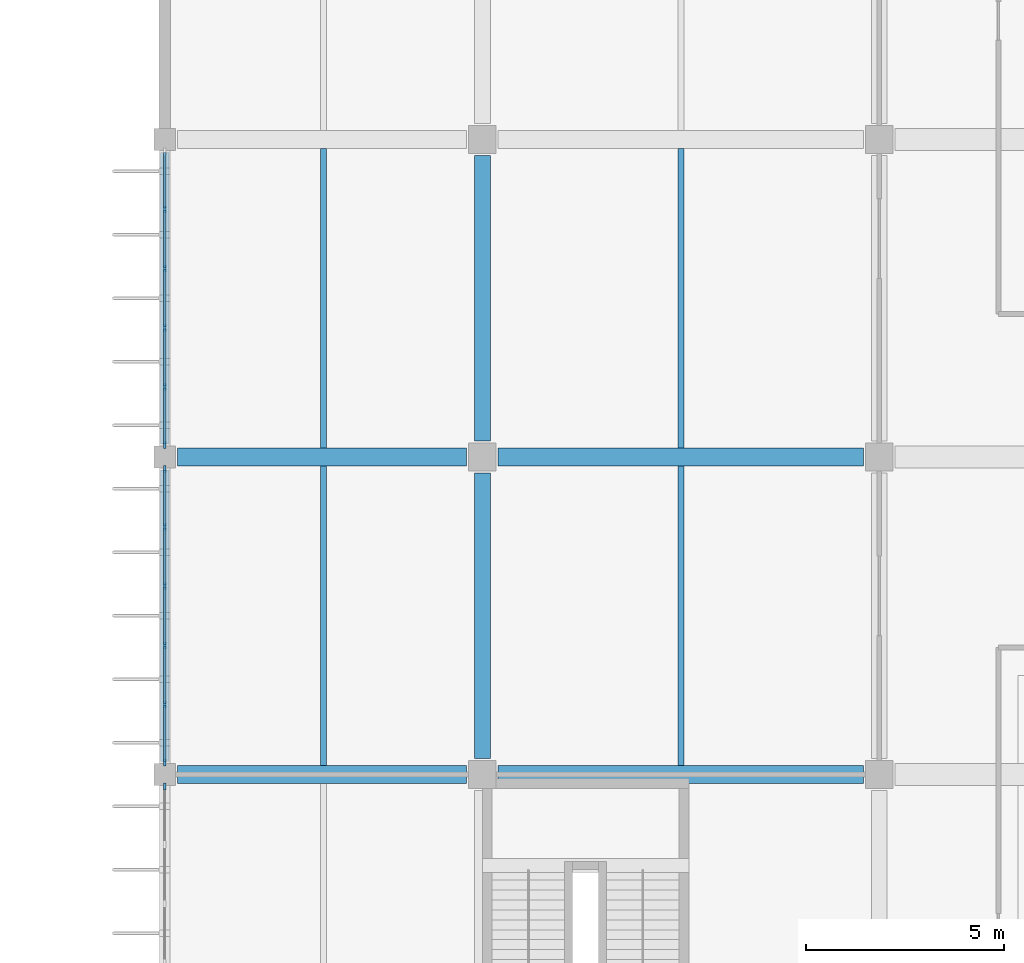
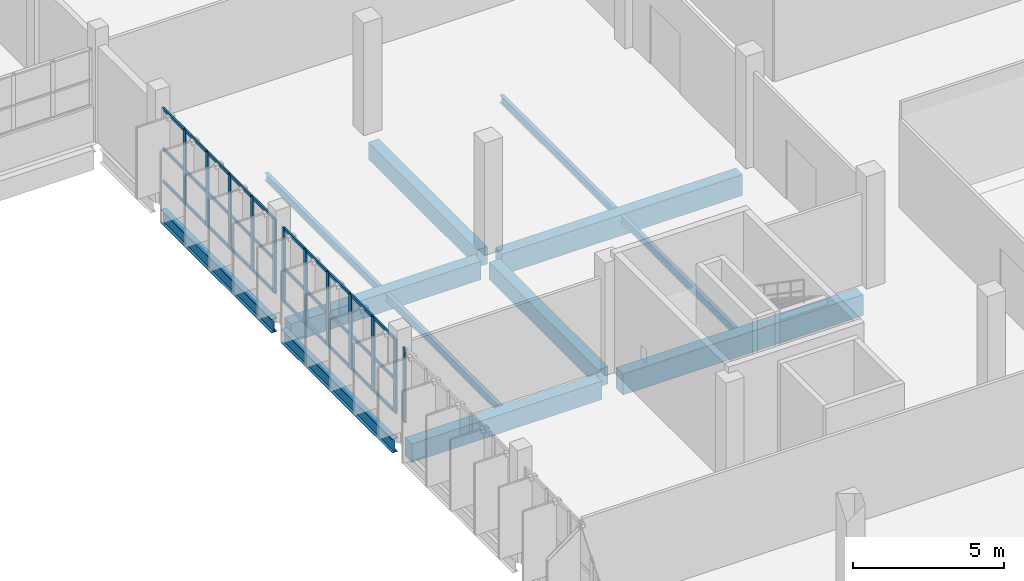
# One storey, part 46 of 93: 42 members, 12 beams, 3 elements without a shape of their own.
"""IFC4 building model written with IfcOpenShell, lengths in metres."""

from ifc_helpers import new_model, si_unit, direction, frame, origin, origin_2d, place, context, subcontext, project, spatial, rectangle, i_section, extrude, material, layer, layer_set, material_profile, profile_set, type_object, element, aggregate, save


model = new_model("IFC4")

# Units and contexts
model_context = context("Model", 3, precision=1e-05, world=origin(), true_north=direction((0.0, 1.0)))
body_context = subcontext(model_context, "Body", "Model", "MODEL_VIEW")
ifc_project = project(units=[si_unit("LENGTHUNIT", "METRE"), si_unit("AREAUNIT", "SQUARE_METRE"), si_unit("VOLUMEUNIT", "CUBIC_METRE"), si_unit("PLANEANGLEUNIT", "RADIAN"), si_unit("MASSUNIT", "GRAM", prefix="KILO")], contexts=[model_context])

# Site, building, storey
site_placement = place(None, origin())
site = spatial("IfcSite", under=ifc_project, at=site_placement, CompositionType="ELEMENT")
building_placement = place(site_placement, origin())
building = spatial("IfcBuilding", under=site, at=building_placement, Name="Drelvana Railside Aquatics Centre", CompositionType="ELEMENT")
storey_placement = place(building_placement, frame((0.0, 0.0, 5.39990234375)))
storey = spatial("IfcBuildingStorey", under=building, at=storey_placement, Name="L01", CompositionType="ELEMENT", Elevation=5.39990234375)

# Curtain wall, member
ifc_material_1 = material(Name="Bronze-anodised aluminium curtain wall", Category="aluminium")
ifc_layer = layer(ifc_material_1, 0.175048828125, Name="Bronze-anodised aluminium curtain wall")
ifc_layer_set = layer_set([ifc_layer], Name="Bronze-anodised aluminium curtain wall")
curtain_wall_type = type_object("IfcCurtainWallType", Name="CW-Z6-WING", PredefinedType="NOTDEFINED", material=ifc_layer_set)
curtain_wall_1_placement = place(storey_placement, origin())
curtain_wall_1 = element("IfcCurtainWall", 1, at=curtain_wall_1_placement, inside=storey, type_object=curtain_wall_type, Name="Curtain wall CW-06-152", PredefinedType="NOTDEFINED")
ifc_material_2 = material(Name="Bronze-anodised aluminium 6063-T6", Category="aluminium")
ifc_material_profile_1 = material_profile(ifc_material_2, rectangle(XDim=0.06494140625, YDim=0.175048828125, at=origin_2d()), Name="ALU-M 65x175")
ifc_profile_set_1 = profile_set([ifc_material_profile_1], Name="Bronze-anodised aluminium 6063-T6")
member_type_1 = type_object("IfcMemberType", Name="CW-Z6-WING-MUL", PredefinedType="MULLION", material=ifc_profile_set_1)
member_1_placement = place(storey_placement, frame((144.0, 63.698486328125, 0.794189453125), z_axis=(0.0, 0.0, 1.0), x_axis=(-1.0, 0.0, 0.0)))
member_1 = element("IfcMember", 2, at=member_1_placement, type_object=member_type_1, Name="CW-06 mullion 6", PredefinedType="MULLION", context=body_context, shape_type="SweptSolid", body=[
    extrude(rectangle(XDim=0.06494140625, YDim=0.175048828125, at=origin_2d()), origin(), (0.0, 0.0, 1.0), 3.005859375),
])
aggregate(curtain_wall_1, [member_1])

# Curtain wall, members
curtain_wall_2_placement = place(storey_placement, origin())
curtain_wall_2 = element("IfcCurtainWall", 3, at=curtain_wall_2_placement, inside=storey, type_object=curtain_wall_type, Name="Curtain wall CW-06-156", PredefinedType="NOTDEFINED")
member_2_placement = place(storey_placement, frame((144.0, 64.301513671875, 0.794189453125), z_axis=(0.0, 0.0, 1.0), x_axis=(-1.0, 0.0, 0.0)))
member_2 = element("IfcMember", 4, at=member_2_placement, type_object=member_type_1, Name="CW-06 mullion 1", PredefinedType="MULLION", context=body_context, shape_type="SweptSolid", body=[
    extrude(rectangle(XDim=0.06494140625, YDim=0.175048828125, at=origin_2d()), origin(), (0.0, 0.0, 1.0), 3.005859375),
])
member_3_placement = place(storey_placement, frame((144.0, 65.761474609375, 0.794189453125), z_axis=(0.0, 0.0, 1.0), x_axis=(-1.0, 0.0, 0.0)))
member_3 = element("IfcMember", 5, at=member_3_placement, type_object=member_type_1, Name="CW-06 mullion 2", PredefinedType="MULLION", context=body_context, shape_type="SweptSolid", body=[
    extrude(rectangle(XDim=0.06494140625, YDim=0.175048828125, at=origin_2d()), origin(), (0.0, 0.0, 1.0), 3.005859375),
])
member_4_placement = place(storey_placement, frame((144.0, 67.25390625, 0.794189453125), z_axis=(0.0, 0.0, 1.0), x_axis=(-1.0, 0.0, 0.0)))
member_4 = element("IfcMember", 6, at=member_4_placement, type_object=member_type_1, Name="CW-06 mullion 3", PredefinedType="MULLION", context=body_context, shape_type="SweptSolid", body=[
    extrude(rectangle(XDim=0.06494140625, YDim=0.175048828125, at=origin_2d()), origin(), (0.0, 0.0, 1.0), 3.005859375),
])
member_5_placement = place(storey_placement, frame((144.0, 68.74609375, 0.794189453125), z_axis=(0.0, 0.0, 1.0), x_axis=(-1.0, 0.0, 0.0)))
member_5 = element("IfcMember", 7, at=member_5_placement, type_object=member_type_1, Name="CW-06 mullion 4", PredefinedType="MULLION", context=body_context, shape_type="SweptSolid", body=[
    extrude(rectangle(XDim=0.06494140625, YDim=0.175048828125, at=origin_2d()), origin(), (0.0, 0.0, 1.0), 3.005859375),
])
member_6_placement = place(storey_placement, frame((144.0, 70.238525390625, 0.794189453125), z_axis=(0.0, 0.0, 1.0), x_axis=(-1.0, 0.0, 0.0)))
member_6 = element("IfcMember", 8, at=member_6_placement, type_object=member_type_1, Name="CW-06 mullion 5", PredefinedType="MULLION", context=body_context, shape_type="SweptSolid", body=[
    extrude(rectangle(XDim=0.06494140625, YDim=0.175048828125, at=origin_2d()), origin(), (0.0, 0.0, 1.0), 3.005859375),
])
member_7_placement = place(storey_placement, frame((144.0, 71.698486328125, 0.794189453125), z_axis=(0.0, 0.0, 1.0), x_axis=(-1.0, 0.0, 0.0)))
member_7 = element("IfcMember", 9, at=member_7_placement, type_object=member_type_1, Name="CW-06 mullion 6", PredefinedType="MULLION", context=body_context, shape_type="SweptSolid", body=[
    extrude(rectangle(XDim=0.06494140625, YDim=0.175048828125, at=origin_2d()), origin(), (0.0, 0.0, 1.0), 3.005859375),
])

curtain_wall_3_placement = place(storey_placement, origin())
curtain_wall_3 = element("IfcCurtainWall", 10, at=curtain_wall_3_placement, inside=storey, type_object=curtain_wall_type, Name="Curtain wall CW-06-160", PredefinedType="NOTDEFINED")
member_8_placement = place(storey_placement, frame((144.0, 72.301513671875, 0.794189453125), z_axis=(0.0, 0.0, 1.0), x_axis=(-1.0, 0.0, 0.0)))
member_8 = element("IfcMember", 11, at=member_8_placement, type_object=member_type_1, Name="CW-06 mullion 1", PredefinedType="MULLION", context=body_context, shape_type="SweptSolid", body=[
    extrude(rectangle(XDim=0.06494140625, YDim=0.175048828125, at=origin_2d()), origin(), (0.0, 0.0, 1.0), 3.005859375),
])
member_9_placement = place(storey_placement, frame((144.0, 73.761474609375, 0.794189453125), z_axis=(0.0, 0.0, 1.0), x_axis=(-1.0, 0.0, 0.0)))
member_9 = element("IfcMember", 12, at=member_9_placement, type_object=member_type_1, Name="CW-06 mullion 2", PredefinedType="MULLION", context=body_context, shape_type="SweptSolid", body=[
    extrude(rectangle(XDim=0.06494140625, YDim=0.175048828125, at=origin_2d()), origin(), (0.0, 0.0, 1.0), 3.005859375),
])
member_10_placement = place(storey_placement, frame((144.0, 75.25390625, 0.794189453125), z_axis=(0.0, 0.0, 1.0), x_axis=(-1.0, 0.0, 0.0)))
member_10 = element("IfcMember", 13, at=member_10_placement, type_object=member_type_1, Name="CW-06 mullion 3", PredefinedType="MULLION", context=body_context, shape_type="SweptSolid", body=[
    extrude(rectangle(XDim=0.06494140625, YDim=0.175048828125, at=origin_2d()), origin(), (0.0, 0.0, 1.0), 3.005859375),
])
member_11_placement = place(storey_placement, frame((144.0, 76.74609375, 0.794189453125), z_axis=(0.0, 0.0, 1.0), x_axis=(-1.0, 0.0, 0.0)))
member_11 = element("IfcMember", 14, at=member_11_placement, type_object=member_type_1, Name="CW-06 mullion 4", PredefinedType="MULLION", context=body_context, shape_type="SweptSolid", body=[
    extrude(rectangle(XDim=0.06494140625, YDim=0.175048828125, at=origin_2d()), origin(), (0.0, 0.0, 1.0), 3.005859375),
])
member_12_placement = place(storey_placement, frame((144.0, 78.238525390625, 0.794189453125), z_axis=(0.0, 0.0, 1.0), x_axis=(-1.0, 0.0, 0.0)))
member_12 = element("IfcMember", 15, at=member_12_placement, type_object=member_type_1, Name="CW-06 mullion 5", PredefinedType="MULLION", context=body_context, shape_type="SweptSolid", body=[
    extrude(rectangle(XDim=0.06494140625, YDim=0.175048828125, at=origin_2d()), origin(), (0.0, 0.0, 1.0), 3.005859375),
])

# Member
ifc_material_profile_2 = material_profile(ifc_material_2, rectangle(XDim=0.1201171875, YDim=0.06005859375, at=origin_2d()), Name="ALU-T 60x120")
ifc_profile_set_2 = profile_set([ifc_material_profile_2], Name="Bronze-anodised aluminium 6063-T6")
member_type_2 = type_object("IfcMemberType", Name="CW-Z6-WING-TRN", PredefinedType="USERDEFINED", material=ifc_profile_set_2)
member_13_placement = place(storey_placement, frame((144.0, 64.3291015625, 0.82421875), z_axis=(0.0, 1.0, 0.0), x_axis=(0.0, 0.0, 1.0)))
member_13 = element("IfcMember", 16, at=member_13_placement, type_object=member_type_2, Name="CW-06 transom 1.1", ObjectType="TRANSOM", PredefinedType="USERDEFINED", context=body_context, shape_type="SweptSolid", body=[
    extrude(rectangle(XDim=0.1201171875, YDim=0.06005859375, at=origin_2d()), origin(), (0.0, 0.0, 1.0), 1.40478515625),
])

member_14_placement = place(storey_placement, frame((144.0, 64.3291015625, 2.147216796875), z_axis=(0.0, 1.0, 0.0), x_axis=(0.0, 0.0, 1.0)))
member_14 = element("IfcMember", 17, at=member_14_placement, type_object=member_type_2, Name="CW-06 transom 1.2", ObjectType="TRANSOM", PredefinedType="USERDEFINED", context=body_context, shape_type="SweptSolid", body=[
    extrude(rectangle(XDim=0.1201171875, YDim=0.06005859375, at=origin_2d()), origin(), (0.0, 0.0, 1.0), 1.40478515625),
])

member_15_placement = place(storey_placement, frame((144.0, 64.3291015625, 3.77001953125), z_axis=(0.0, 1.0, 0.0), x_axis=(0.0, 0.0, 1.0)))
member_15 = element("IfcMember", 18, at=member_15_placement, type_object=member_type_2, Name="CW-06 transom 1.3", ObjectType="TRANSOM", PredefinedType="USERDEFINED", context=body_context, shape_type="SweptSolid", body=[
    extrude(rectangle(XDim=0.1201171875, YDim=0.06005859375, at=origin_2d()), origin(), (0.0, 0.0, 1.0), 1.40478515625),
])

member_16_placement = place(storey_placement, frame((144.0, 65.788818359375, 0.82421875), z_axis=(0.0, 1.0, 0.0), x_axis=(0.0, 0.0, 1.0)))
member_16 = element("IfcMember", 19, at=member_16_placement, type_object=member_type_2, Name="CW-06 transom 2.1", ObjectType="TRANSOM", PredefinedType="USERDEFINED", context=body_context, shape_type="SweptSolid", body=[
    extrude(rectangle(XDim=0.1201171875, YDim=0.06005859375, at=origin_2d()), origin(), (0.0, 0.0, 1.0), 1.4375),
])

member_17_placement = place(storey_placement, frame((144.0, 65.788818359375, 2.147216796875), z_axis=(0.0, 1.0, 0.0), x_axis=(0.0, 0.0, 1.0)))
member_17 = element("IfcMember", 20, at=member_17_placement, type_object=member_type_2, Name="CW-06 transom 2.2", ObjectType="TRANSOM", PredefinedType="USERDEFINED", context=body_context, shape_type="SweptSolid", body=[
    extrude(rectangle(XDim=0.1201171875, YDim=0.06005859375, at=origin_2d()), origin(), (0.0, 0.0, 1.0), 1.4375),
])

member_18_placement = place(storey_placement, frame((144.0, 65.788818359375, 3.77001953125), z_axis=(0.0, 1.0, 0.0), x_axis=(0.0, 0.0, 1.0)))
member_18 = element("IfcMember", 21, at=member_18_placement, type_object=member_type_2, Name="CW-06 transom 2.3", ObjectType="TRANSOM", PredefinedType="USERDEFINED", context=body_context, shape_type="SweptSolid", body=[
    extrude(rectangle(XDim=0.1201171875, YDim=0.06005859375, at=origin_2d()), origin(), (0.0, 0.0, 1.0), 1.4375),
])

member_19_placement = place(storey_placement, frame((144.0, 67.28125, 0.82421875), z_axis=(0.0, 1.0, 0.0), x_axis=(0.0, 0.0, 1.0)))
member_19 = element("IfcMember", 22, at=member_19_placement, type_object=member_type_2, Name="CW-06 transom 3.1", ObjectType="TRANSOM", PredefinedType="USERDEFINED", context=body_context, shape_type="SweptSolid", body=[
    extrude(rectangle(XDim=0.1201171875, YDim=0.06005859375, at=origin_2d()), origin(), (0.0, 0.0, 1.0), 1.4375),
])

member_20_placement = place(storey_placement, frame((144.0, 67.28125, 2.147216796875), z_axis=(0.0, 1.0, 0.0), x_axis=(0.0, 0.0, 1.0)))
member_20 = element("IfcMember", 23, at=member_20_placement, type_object=member_type_2, Name="CW-06 transom 3.2", ObjectType="TRANSOM", PredefinedType="USERDEFINED", context=body_context, shape_type="SweptSolid", body=[
    extrude(rectangle(XDim=0.1201171875, YDim=0.06005859375, at=origin_2d()), origin(), (0.0, 0.0, 1.0), 1.4375),
])

member_21_placement = place(storey_placement, frame((144.0, 67.28125, 3.77001953125), z_axis=(0.0, 1.0, 0.0), x_axis=(0.0, 0.0, 1.0)))
member_21 = element("IfcMember", 24, at=member_21_placement, type_object=member_type_2, Name="CW-06 transom 3.3", ObjectType="TRANSOM", PredefinedType="USERDEFINED", context=body_context, shape_type="SweptSolid", body=[
    extrude(rectangle(XDim=0.1201171875, YDim=0.06005859375, at=origin_2d()), origin(), (0.0, 0.0, 1.0), 1.4375),
])

member_22_placement = place(storey_placement, frame((144.0, 68.773681640625, 0.82421875), z_axis=(0.0, 1.0, 0.0), x_axis=(0.0, 0.0, 1.0)))
member_22 = element("IfcMember", 25, at=member_22_placement, type_object=member_type_2, Name="CW-06 transom 4.1", ObjectType="TRANSOM", PredefinedType="USERDEFINED", context=body_context, shape_type="SweptSolid", body=[
    extrude(rectangle(XDim=0.1201171875, YDim=0.06005859375, at=origin_2d()), origin(), (0.0, 0.0, 1.0), 1.4375),
])

member_23_placement = place(storey_placement, frame((144.0, 68.773681640625, 2.147216796875), z_axis=(0.0, 1.0, 0.0), x_axis=(0.0, 0.0, 1.0)))
member_23 = element("IfcMember", 26, at=member_23_placement, type_object=member_type_2, Name="CW-06 transom 4.2", ObjectType="TRANSOM", PredefinedType="USERDEFINED", context=body_context, shape_type="SweptSolid", body=[
    extrude(rectangle(XDim=0.1201171875, YDim=0.06005859375, at=origin_2d()), origin(), (0.0, 0.0, 1.0), 1.4375),
])

member_24_placement = place(storey_placement, frame((144.0, 68.773681640625, 3.77001953125), z_axis=(0.0, 1.0, 0.0), x_axis=(0.0, 0.0, 1.0)))
member_24 = element("IfcMember", 27, at=member_24_placement, type_object=member_type_2, Name="CW-06 transom 4.3", ObjectType="TRANSOM", PredefinedType="USERDEFINED", context=body_context, shape_type="SweptSolid", body=[
    extrude(rectangle(XDim=0.1201171875, YDim=0.06005859375, at=origin_2d()), origin(), (0.0, 0.0, 1.0), 1.4375),
])

member_25_placement = place(storey_placement, frame((144.0, 70.26611328125, 0.82421875), z_axis=(0.0, 1.0, 0.0), x_axis=(0.0, 0.0, 1.0)))
member_25 = element("IfcMember", 28, at=member_25_placement, type_object=member_type_2, Name="CW-06 transom 5.1", ObjectType="TRANSOM", PredefinedType="USERDEFINED", context=body_context, shape_type="SweptSolid", body=[
    extrude(rectangle(XDim=0.1201171875, YDim=0.06005859375, at=origin_2d()), origin(), (0.0, 0.0, 1.0), 1.40478515625),
])

member_26_placement = place(storey_placement, frame((144.0, 70.26611328125, 2.147216796875), z_axis=(0.0, 1.0, 0.0), x_axis=(0.0, 0.0, 1.0)))
member_26 = element("IfcMember", 29, at=member_26_placement, type_object=member_type_2, Name="CW-06 transom 5.2", ObjectType="TRANSOM", PredefinedType="USERDEFINED", context=body_context, shape_type="SweptSolid", body=[
    extrude(rectangle(XDim=0.1201171875, YDim=0.06005859375, at=origin_2d()), origin(), (0.0, 0.0, 1.0), 1.40478515625),
])

member_27_placement = place(storey_placement, frame((144.0, 70.26611328125, 3.77001953125), z_axis=(0.0, 1.0, 0.0), x_axis=(0.0, 0.0, 1.0)))
member_27 = element("IfcMember", 30, at=member_27_placement, type_object=member_type_2, Name="CW-06 transom 5.3", ObjectType="TRANSOM", PredefinedType="USERDEFINED", context=body_context, shape_type="SweptSolid", body=[
    extrude(rectangle(XDim=0.1201171875, YDim=0.06005859375, at=origin_2d()), origin(), (0.0, 0.0, 1.0), 1.40478515625),
])

aggregate(curtain_wall_2, [member_2, member_3, member_4, member_5, member_6, member_7, member_13, member_14, member_15, member_16, member_17, member_18, member_19, member_20, member_21, member_22, member_23, member_24, member_25, member_26, member_27])

member_28_placement = place(storey_placement, frame((144.0, 72.3291015625, 0.82421875), z_axis=(0.0, 1.0, 0.0), x_axis=(0.0, 0.0, 1.0)))
member_28 = element("IfcMember", 31, at=member_28_placement, type_object=member_type_2, Name="CW-06 transom 1.1", ObjectType="TRANSOM", PredefinedType="USERDEFINED", context=body_context, shape_type="SweptSolid", body=[
    extrude(rectangle(XDim=0.1201171875, YDim=0.06005859375, at=origin_2d()), origin(), (0.0, 0.0, 1.0), 1.40478515625),
])

member_29_placement = place(storey_placement, frame((144.0, 72.3291015625, 2.147216796875), z_axis=(0.0, 1.0, 0.0), x_axis=(0.0, 0.0, 1.0)))
member_29 = element("IfcMember", 32, at=member_29_placement, type_object=member_type_2, Name="CW-06 transom 1.2", ObjectType="TRANSOM", PredefinedType="USERDEFINED", context=body_context, shape_type="SweptSolid", body=[
    extrude(rectangle(XDim=0.1201171875, YDim=0.06005859375, at=origin_2d()), origin(), (0.0, 0.0, 1.0), 1.40478515625),
])

member_30_placement = place(storey_placement, frame((144.0, 72.3291015625, 3.77001953125), z_axis=(0.0, 1.0, 0.0), x_axis=(0.0, 0.0, 1.0)))
member_30 = element("IfcMember", 33, at=member_30_placement, type_object=member_type_2, Name="CW-06 transom 1.3", ObjectType="TRANSOM", PredefinedType="USERDEFINED", context=body_context, shape_type="SweptSolid", body=[
    extrude(rectangle(XDim=0.1201171875, YDim=0.06005859375, at=origin_2d()), origin(), (0.0, 0.0, 1.0), 1.40478515625),
])

member_31_placement = place(storey_placement, frame((144.0, 73.788818359375, 0.82421875), z_axis=(0.0, 1.0, 0.0), x_axis=(0.0, 0.0, 1.0)))
member_31 = element("IfcMember", 34, at=member_31_placement, type_object=member_type_2, Name="CW-06 transom 2.1", ObjectType="TRANSOM", PredefinedType="USERDEFINED", context=body_context, shape_type="SweptSolid", body=[
    extrude(rectangle(XDim=0.1201171875, YDim=0.06005859375, at=origin_2d()), origin(), (0.0, 0.0, 1.0), 1.4375),
])

member_32_placement = place(storey_placement, frame((144.0, 73.788818359375, 2.147216796875), z_axis=(0.0, 1.0, 0.0), x_axis=(0.0, 0.0, 1.0)))
member_32 = element("IfcMember", 35, at=member_32_placement, type_object=member_type_2, Name="CW-06 transom 2.2", ObjectType="TRANSOM", PredefinedType="USERDEFINED", context=body_context, shape_type="SweptSolid", body=[
    extrude(rectangle(XDim=0.1201171875, YDim=0.06005859375, at=origin_2d()), origin(), (0.0, 0.0, 1.0), 1.4375),
])

member_33_placement = place(storey_placement, frame((144.0, 73.788818359375, 3.77001953125), z_axis=(0.0, 1.0, 0.0), x_axis=(0.0, 0.0, 1.0)))
member_33 = element("IfcMember", 36, at=member_33_placement, type_object=member_type_2, Name="CW-06 transom 2.3", ObjectType="TRANSOM", PredefinedType="USERDEFINED", context=body_context, shape_type="SweptSolid", body=[
    extrude(rectangle(XDim=0.1201171875, YDim=0.06005859375, at=origin_2d()), origin(), (0.0, 0.0, 1.0), 1.4375),
])

member_34_placement = place(storey_placement, frame((144.0, 75.28125, 0.82421875), z_axis=(0.0, 1.0, 0.0), x_axis=(0.0, 0.0, 1.0)))
member_34 = element("IfcMember", 37, at=member_34_placement, type_object=member_type_2, Name="CW-06 transom 3.1", ObjectType="TRANSOM", PredefinedType="USERDEFINED", context=body_context, shape_type="SweptSolid", body=[
    extrude(rectangle(XDim=0.1201171875, YDim=0.06005859375, at=origin_2d()), origin(), (0.0, 0.0, 1.0), 1.4375),
])

member_35_placement = place(storey_placement, frame((144.0, 75.28125, 2.147216796875), z_axis=(0.0, 1.0, 0.0), x_axis=(0.0, 0.0, 1.0)))
member_35 = element("IfcMember", 38, at=member_35_placement, type_object=member_type_2, Name="CW-06 transom 3.2", ObjectType="TRANSOM", PredefinedType="USERDEFINED", context=body_context, shape_type="SweptSolid", body=[
    extrude(rectangle(XDim=0.1201171875, YDim=0.06005859375, at=origin_2d()), origin(), (0.0, 0.0, 1.0), 1.4375),
])

member_36_placement = place(storey_placement, frame((144.0, 75.28125, 3.77001953125), z_axis=(0.0, 1.0, 0.0), x_axis=(0.0, 0.0, 1.0)))
member_36 = element("IfcMember", 39, at=member_36_placement, type_object=member_type_2, Name="CW-06 transom 3.3", ObjectType="TRANSOM", PredefinedType="USERDEFINED", context=body_context, shape_type="SweptSolid", body=[
    extrude(rectangle(XDim=0.1201171875, YDim=0.06005859375, at=origin_2d()), origin(), (0.0, 0.0, 1.0), 1.4375),
])

member_37_placement = place(storey_placement, frame((144.0, 76.773681640625, 0.82421875), z_axis=(0.0, 1.0, 0.0), x_axis=(0.0, 0.0, 1.0)))
member_37 = element("IfcMember", 40, at=member_37_placement, type_object=member_type_2, Name="CW-06 transom 4.1", ObjectType="TRANSOM", PredefinedType="USERDEFINED", context=body_context, shape_type="SweptSolid", body=[
    extrude(rectangle(XDim=0.1201171875, YDim=0.06005859375, at=origin_2d()), origin(), (0.0, 0.0, 1.0), 1.4375),
])

member_38_placement = place(storey_placement, frame((144.0, 76.773681640625, 2.147216796875), z_axis=(0.0, 1.0, 0.0), x_axis=(0.0, 0.0, 1.0)))
member_38 = element("IfcMember", 41, at=member_38_placement, type_object=member_type_2, Name="CW-06 transom 4.2", ObjectType="TRANSOM", PredefinedType="USERDEFINED", context=body_context, shape_type="SweptSolid", body=[
    extrude(rectangle(XDim=0.1201171875, YDim=0.06005859375, at=origin_2d()), origin(), (0.0, 0.0, 1.0), 1.4375),
])

member_39_placement = place(storey_placement, frame((144.0, 76.773681640625, 3.77001953125), z_axis=(0.0, 1.0, 0.0), x_axis=(0.0, 0.0, 1.0)))
member_39 = element("IfcMember", 42, at=member_39_placement, type_object=member_type_2, Name="CW-06 transom 4.3", ObjectType="TRANSOM", PredefinedType="USERDEFINED", context=body_context, shape_type="SweptSolid", body=[
    extrude(rectangle(XDim=0.1201171875, YDim=0.06005859375, at=origin_2d()), origin(), (0.0, 0.0, 1.0), 1.4375),
])

member_40_placement = place(storey_placement, frame((144.0, 78.26611328125, 0.82421875), z_axis=(0.0, 1.0, 0.0), x_axis=(0.0, 0.0, 1.0)))
member_40 = element("IfcMember", 43, at=member_40_placement, type_object=member_type_2, Name="CW-06 transom 5.1", ObjectType="TRANSOM", PredefinedType="USERDEFINED", context=body_context, shape_type="SweptSolid", body=[
    extrude(rectangle(XDim=0.1201171875, YDim=0.06005859375, at=origin_2d()), origin(), (0.0, 0.0, 1.0), 1.40478515625),
])

member_41_placement = place(storey_placement, frame((144.0, 78.26611328125, 2.147216796875), z_axis=(0.0, 1.0, 0.0), x_axis=(0.0, 0.0, 1.0)))
member_41 = element("IfcMember", 44, at=member_41_placement, type_object=member_type_2, Name="CW-06 transom 5.2", ObjectType="TRANSOM", PredefinedType="USERDEFINED", context=body_context, shape_type="SweptSolid", body=[
    extrude(rectangle(XDim=0.1201171875, YDim=0.06005859375, at=origin_2d()), origin(), (0.0, 0.0, 1.0), 1.40478515625),
])

member_42_placement = place(storey_placement, frame((144.0, 78.26611328125, 3.77001953125), z_axis=(0.0, 1.0, 0.0), x_axis=(0.0, 0.0, 1.0)))
member_42 = element("IfcMember", 45, at=member_42_placement, type_object=member_type_2, Name="CW-06 transom 5.3", ObjectType="TRANSOM", PredefinedType="USERDEFINED", context=body_context, shape_type="SweptSolid", body=[
    extrude(rectangle(XDim=0.1201171875, YDim=0.06005859375, at=origin_2d()), origin(), (0.0, 0.0, 1.0), 1.40478515625),
])

aggregate(curtain_wall_3, [member_8, member_9, member_10, member_11, member_12, member_28, member_29, member_30, member_31, member_32, member_33, member_34, member_35, member_36, member_37, member_38, member_39, member_40, member_41, member_42])

# Beams
ifc_material_3 = material(Name="Concrete C40/50", Category="concrete")
ifc_material_profile_3 = material_profile(ifc_material_3, rectangle(XDim=0.39990234375, YDim=0.699951171875, at=origin_2d()), Name="RC 400x700")
ifc_profile_set_3 = profile_set([ifc_material_profile_3], Name="Concrete C40/50")
beam_type_1 = type_object("IfcBeamType", Name="STR-BM-BM-03-RC-400x700", PredefinedType="BEAM", material=ifc_profile_set_3)
for number, where, z_axis, x_axis, name in (
    (46, (152.0, 64.39990234375, -0.625), (0.0, 1.0, 0.0), (-1.0, 0.0, 0.0), "Girder BM-03 (L01)"),
    (47, (152.0, 72.39990234375, -0.625), (0.0, 1.0, 0.0), (-1.0, 0.0, 0.0), "Girder BM-03 (L01)"),
):
    element("IfcBeam", number, at=place(storey_placement, frame(where, z_axis=z_axis, x_axis=x_axis)), inside=storey, type_object=beam_type_1, Name=name, PredefinedType="BEAM", context=body_context, shape_type="SweptSolid", body=[
        extrude(rectangle(XDim=0.39990234375, YDim=0.699951171875, at=origin_2d()), origin(), (0.0, 0.0, 1.0), 7.2001953125),
    ])
ifc_material_profile_4 = material_profile(ifc_material_3, rectangle(XDim=0.449951171875, YDim=0.75, at=origin_2d()), Name="RC 450x750")
ifc_profile_set_4 = profile_set([ifc_material_profile_4], Name="Concrete C40/50")
beam_type_2 = type_object("IfcBeamType", Name="STR-BM-BM-04-RC-450x750", PredefinedType="BEAM", material=ifc_profile_set_4)
for number, where, z_axis, x_axis, name in (
    (48, (144.324951171875, 64.0, -0.64990234375), (1.0, 0.0, 0.0), (0.0, 1.0, 0.0), "Girder BM-04 (L01)"),
    (49, (144.324951171875, 72.0, -0.64990234375), (1.0, 0.0, 0.0), (0.0, 1.0, 0.0), "Girder BM-04 (L01)"),
):
    element("IfcBeam", number, at=place(storey_placement, frame(where, z_axis=z_axis, x_axis=x_axis)), inside=storey, type_object=beam_type_2, Name=name, PredefinedType="BEAM", context=body_context, shape_type="SweptSolid", body=[
        extrude(rectangle(XDim=0.449951171875, YDim=0.75, at=origin_2d()), origin(), (0.0, 0.0, 1.0), 7.275146484375),
    ])
ifc_material_profile_5 = material_profile(ifc_material_3, rectangle(XDim=0.449951171875, YDim=0.85009765625, at=origin_2d()), Name="RC 450x850")
ifc_profile_set_5 = profile_set([ifc_material_profile_5], Name="Concrete C40/50")
beam_type_3 = type_object("IfcBeamType", Name="STR-BM-BM-05-RC-450x850", PredefinedType="BEAM", material=ifc_profile_set_5)
for number, where, z_axis, x_axis, name in (
    (50, (152.39990234375, 64.0, -0.699951171875), (1.0, 0.0, 0.0), (0.0, 1.0, 0.0), "Girder BM-05 (L01)"),
    (51, (152.39990234375, 72.0, -0.699951171875), (1.0, 0.0, 0.0), (0.0, 1.0, 0.0), "Girder BM-05 (L01)"),
):
    element("IfcBeam", number, at=place(storey_placement, frame(where, z_axis=z_axis, x_axis=x_axis)), inside=storey, type_object=beam_type_3, Name=name, PredefinedType="BEAM", context=body_context, shape_type="SweptSolid", body=[
        extrude(rectangle(XDim=0.449951171875, YDim=0.85009765625, at=origin_2d()), origin(), (0.0, 0.0, 1.0), 9.2001953125),
    ])
ifc_material_4 = material(Name="Structural steel S355", Category="steel")
ifc_material_profile_6 = material_profile(ifc_material_4, i_section(OverallWidth=0.2099609375, OverallDepth=0.550048828125, WebThickness=0.010986328125, FlangeThickness=0.01708984375, at=origin_2d()), Name="IPE 550")
ifc_profile_set_6 = profile_set([ifc_material_profile_6], Name="Structural steel S355")
beam_type_4 = type_object("IfcBeamType", Name="STR-SBM-SB-04-IPE-550", PredefinedType="SPANDREL", material=ifc_profile_set_6)
for number, where, z_axis, x_axis, name in (
    (52, (144.0, 64.324951171875, -0.5498046875), (0.0, 1.0, 0.0), (-1.0, 0.0, 0.0), "Girder SB-04 (L01)"),
    (53, (144.0, 72.324951171875, -0.5498046875), (0.0, 1.0, 0.0), (-1.0, 0.0, 0.0), "Girder SB-04 (L01)"),
):
    element("IfcBeam", number, at=place(storey_placement, frame(where, z_axis=z_axis, x_axis=x_axis)), inside=storey, type_object=beam_type_4, Name=name, PredefinedType="SPANDREL", context=body_context, shape_type="SweptSolid", body=[
        extrude(i_section(OverallWidth=0.2099609375, OverallDepth=0.550048828125, WebThickness=0.010986328125, FlangeThickness=0.01708984375, at=origin_2d()), origin(), (0.0, 0.0, 1.0), 7.35009765625),
    ])
ifc_material_profile_7 = material_profile(ifc_material_4, i_section(OverallWidth=0.14990234375, OverallDepth=0.300048828125, WebThickness=0.007080078125, FlangeThickness=0.0107421875, at=origin_2d()), Name="IPE 300")
ifc_profile_set_7 = profile_set([ifc_material_profile_7], Name="Structural steel S355")
beam_type_5 = type_object("IfcBeamType", Name="STR-SBM-SJ-03-IPE-300", PredefinedType="JOIST", material=ifc_profile_set_7)
for number, where, z_axis, x_axis, name in (
    (54, (148.0, 64.22509765625, -0.4248046875), (0.0, 1.0, 0.0), (-1.0, 0.0, 0.0), "Secondary floor joist SJ-03 (L01)"),
    (55, (148.0, 72.22509765625, -0.4248046875), (0.0, 1.0, 0.0), (-1.0, 0.0, 0.0), "Secondary floor joist SJ-03 (L01)"),
    (56, (157.0, 64.22509765625, -0.4248046875), (0.0, 1.0, 0.0), (-1.0, 0.0, 0.0), "Secondary floor joist SJ-03 (L01)"),
    (57, (157.0, 72.22509765625, -0.4248046875), (0.0, 1.0, 0.0), (-1.0, 0.0, 0.0), "Secondary floor joist SJ-03 (L01)"),
):
    element("IfcBeam", number, at=place(storey_placement, frame(where, z_axis=z_axis, x_axis=x_axis)), inside=storey, type_object=beam_type_5, Name=name, PredefinedType="JOIST", context=body_context, shape_type="SweptSolid", body=[
        extrude(i_section(OverallWidth=0.14990234375, OverallDepth=0.300048828125, WebThickness=0.007080078125, FlangeThickness=0.0107421875, at=origin_2d()), origin(), (0.0, 0.0, 1.0), 7.5498046875),
    ])

save(model, "model.ifc")
